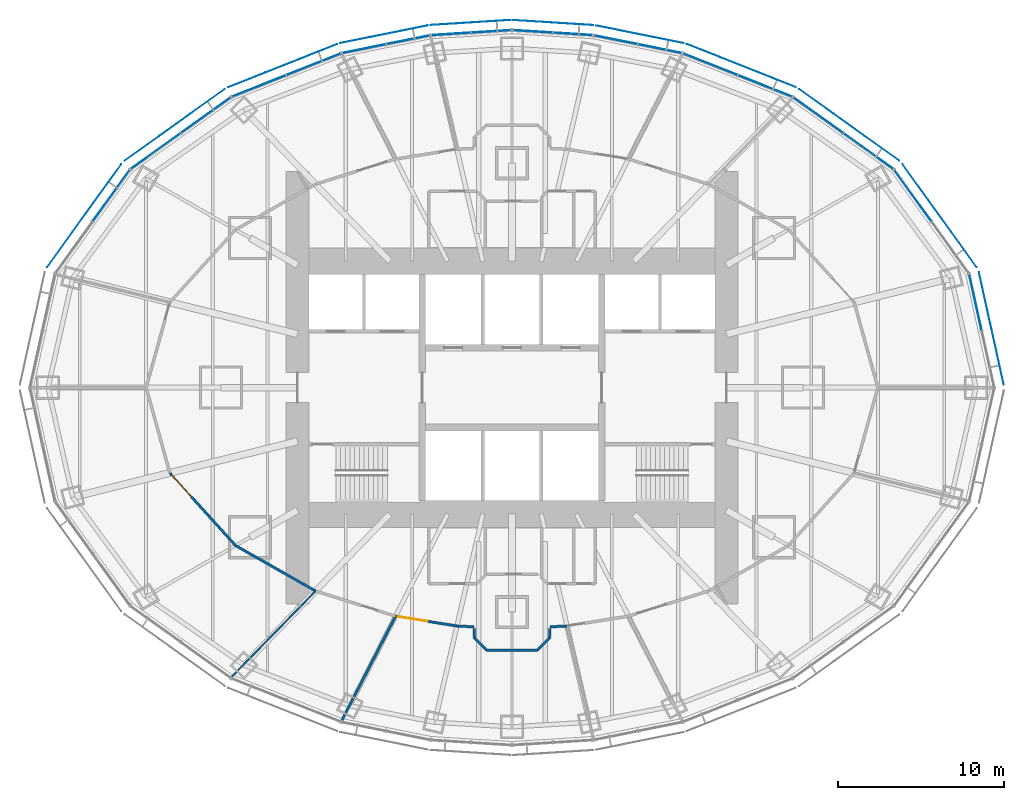
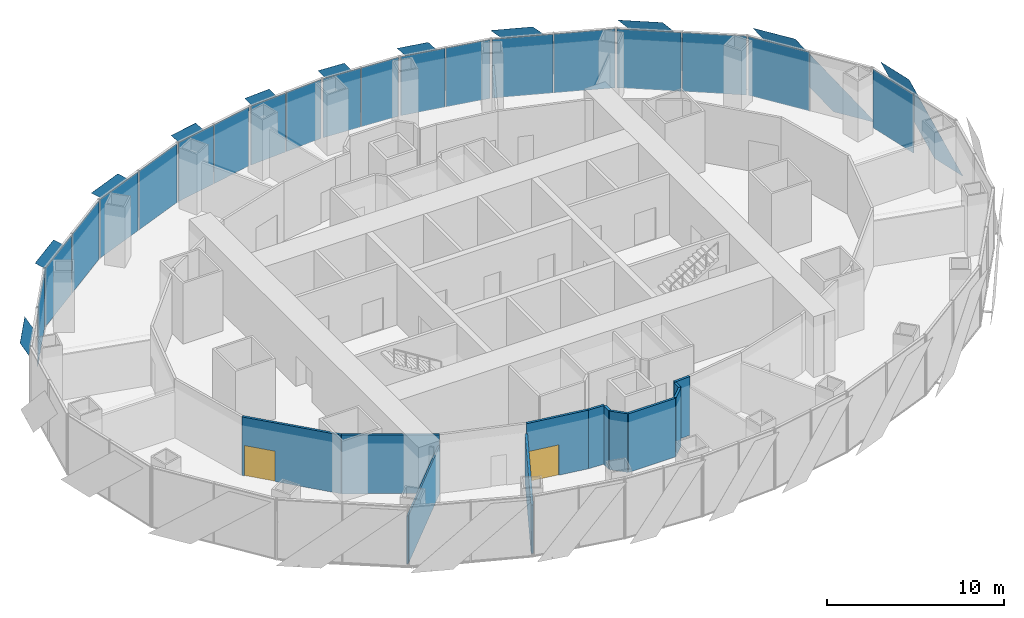
# One storey, part 10 of 18: 30 plates, 12 walls, 2 doors, 2 openings, 11 elements without a shape of their own.
"""IFC4 building model written with IfcOpenShell, lengths in metres."""

import ifcopenshell
import ifcopenshell.guid

model = None  # the IFC model being written
_history = None  # IfcOwnerHistory: only IFC2X3 demands one
_inside = {}  # id of a spatial element -> (the spatial element, [elements in it])
_under = {}  # id of a project, library or spatial element -> (it, [spatial elements below it])
_declared = {}  # id of a project -> (the project, [libraries it declares])
_typed = {}  # id of a type object -> (the type object, [elements of that type])
_made_of = {}  # id of a material, layer set ... -> (it, [elements and type objects made of it])


def new_model(schema):
    """Start an empty IFC model of exactly this schema.

    Asked for "IFC4X3", IfcOpenShell would pick the latest addendum, in which some entities
    have other attributes; the version numbers below select the first issue.
    IFC2X3 requires an IfcOwnerHistory on every rooted entity: one is made here for all.
    """
    global model, _history
    if schema == "IFC4X3":
        model = ifcopenshell.file(schema_version=(4, 3, 0, 0))
    else:
        model = ifcopenshell.file(schema=schema)
    _inside.clear()
    _under.clear()
    _declared.clear()
    _typed.clear()
    _made_of.clear()
    _history = None
    if model.schema == "IFC2X3":
        org = make("IfcOrganization", Name="unknown")
        user = make(
            "IfcPersonAndOrganization",
            ThePerson=make("IfcPerson", FamilyName="unknown"),
            TheOrganization=org,
        )
        app = make(
            "IfcApplication",
            ApplicationDeveloper=org,
            Version="unknown",
            ApplicationFullName="unknown",
            ApplicationIdentifier="unknown",
        )
        _history = make(
            "IfcOwnerHistory",
            OwningUser=user,
            OwningApplication=app,
            ChangeAction="ADDED",
            CreationDate=0,
        )
    return model


def make(cls, **values):
    """One entity of the class cls with the attributes given. An attribute that is None is left unset."""
    return model.create_entity(
        cls, **{name: value for name, value in values.items() if value is not None}
    )


def rooted(cls, **values):
    """An entity with a GlobalId (a new one), such as an element, a storey or a relation."""
    return make(cls, GlobalId=ifcopenshell.guid.new(), OwnerHistory=_history, **values)


def si_unit(unit_type, name, prefix=None):
    """IfcSIUnit, for example si_unit("LENGTHUNIT", "METRE", prefix="MILLI")."""
    return make("IfcSIUnit", UnitType=unit_type, Prefix=prefix, Name=name)


def assignment(units):
    """IfcUnitAssignment: the units of a project."""
    return None if units is None else make("IfcUnitAssignment", Units=units)


def point(xyz):
    """IfcCartesianPoint."""
    return None if xyz is None else make("IfcCartesianPoint", Coordinates=xyz)


def direction(xyz):
    """IfcDirection."""
    return None if xyz is None else make("IfcDirection", DirectionRatios=xyz)


def frame(location, z_axis=None, x_axis=None):
    """IfcAxis2Placement3D, a coordinate frame: its origin and axes. An axis left out is left unset."""
    return make(
        "IfcAxis2Placement3D",
        Location=point(location),
        Axis=direction(z_axis),
        RefDirection=direction(x_axis),
    )


def frame_2d(location, x_axis=None):
    """IfcAxis2Placement2D, a coordinate frame in the plane: its origin and x axis."""
    return make(
        "IfcAxis2Placement2D", Location=point(location), RefDirection=direction(x_axis)
    )


def origin():
    """The frame at (0, 0, 0) with its axes left unset."""
    return frame((0.0, 0.0, 0.0))


def origin_2d():
    """The frame at (0, 0) in the plane with its x axis left unset."""
    return frame_2d((0.0, 0.0))


def place(relative_to, where):
    """IfcLocalPlacement: puts the frame where relative to a parent placement (None: the world)."""
    return make(
        "IfcLocalPlacement", PlacementRelTo=relative_to, RelativePlacement=where
    )


def context(
    kind, dimensions, precision=None, world=None, true_north=None, identifier=None
):
    """IfcGeometricRepresentationContext, for example the 3D "Model" context."""
    return make(
        "IfcGeometricRepresentationContext",
        ContextIdentifier=identifier,
        ContextType=kind,
        CoordinateSpaceDimension=dimensions,
        Precision=precision,
        WorldCoordinateSystem=world,
        TrueNorth=true_north,
    )


def subcontext(parent, identifier, kind, view, scale=None):
    """IfcGeometricRepresentationSubContext, for example "Body" below "Model"."""
    return make(
        "IfcGeometricRepresentationSubContext",
        ContextIdentifier=identifier,
        ContextType=kind,
        ParentContext=parent,
        TargetScale=scale,
        TargetView=view,
    )


def project(units=None, contexts=None):
    """IfcProject with its units and contexts."""
    return rooted(
        "IfcProject",
        Name="project",
        RepresentationContexts=contexts,
        UnitsInContext=assignment(units),
    )


def spatial(cls, under=None, at=None, **own):
    """A site, building, storey or space (cls), placed at a placement, below another one or the project."""
    s = rooted(cls, ObjectPlacement=at, **own)
    if under is not None:
        _under.setdefault(under.id(), (under, []))[1].append(s)
    return s


def polyline(points):
    """IfcPolyline through the points."""
    return make("IfcPolyline", Points=[point(p) for p in points])


def profile(cls, at=None, kind="AREA", **sizes):
    """A parametric profile (cls). Its sizes go by their IFC names, for example OverallWidth=200.0."""
    return make(cls, ProfileType=kind, Position=at, **sizes)


def rectangle(**sizes):
    """IfcRectangleProfileDef."""
    return profile("IfcRectangleProfileDef", **sizes)


def outline(outer, holes=None, kind="AREA"):
    """IfcArbitraryClosedProfileDef: a profile drawn as a closed curve; with holes, ...WithVoids."""
    if holes is None:
        return make("IfcArbitraryClosedProfileDef", ProfileType=kind, OuterCurve=outer)
    return make(
        "IfcArbitraryProfileDefWithVoids",
        ProfileType=kind,
        OuterCurve=outer,
        InnerCurves=holes,
    )


def extrude(swept, where, along, depth):
    """IfcExtrudedAreaSolid: the profile swept, set in the frame where, extruded along a direction by depth."""
    return make(
        "IfcExtrudedAreaSolid",
        SweptArea=swept,
        Position=where,
        ExtrudedDirection=direction(along),
        Depth=depth,
    )


def shape(context_of_items, identifier, shape_type, items):
    """IfcShapeRepresentation: the items that make up one representation, for example the "Body"."""
    return make(
        "IfcShapeRepresentation",
        ContextOfItems=context_of_items,
        RepresentationIdentifier=identifier,
        RepresentationType=shape_type,
        Items=items,
    )


def material(Name=None, Category=None):
    """IfcMaterial."""
    return make("IfcMaterial", Name=Name, Category=Category)


def layer(
    of_material, thickness, ventilated=None, Name=None, Category=None, Priority=None
):
    """IfcMaterialLayer: one layer of a wall or slab, of a material (None: an air gap)."""
    return make(
        "IfcMaterialLayer",
        Material=of_material,
        LayerThickness=thickness,
        IsVentilated=ventilated,
        Name=Name,
        Category=Category,
        Priority=Priority,
    )


def layer_set(layers, Name=None):
    """IfcMaterialLayerSet."""
    return make("IfcMaterialLayerSet", MaterialLayers=layers, LayerSetName=Name)


def made_of(thing, what):
    """Note that an element or type object is made of a material, layer set ...; save() writes the relation."""
    if what is not None:
        _made_of.setdefault(what.id(), (what, []))[1].append(thing)
    return thing


def type_object(cls, material=None, **own):
    """A type object (cls), such as IfcWallType, which elements share."""
    return made_of(rooted(cls, **own), material)


def element(
    cls,
    number,
    at=None,
    inside=None,
    cuts=None,
    type_object=None,
    material=None,
    context=None,
    identifier="Body",
    shape_type=None,
    held_by="IfcProductDefinitionShape",
    body=None,
    shapes=None,
    **own,
):
    """One element of the class cls, such as IfcWall. Its Tag is "e" and its number.

    at: its placement. inside: the storey or other place that contains it. cuts: it is an
    opening in that element (IfcRelVoidsElement). A single representation is given by context,
    identifier, shape_type and body (its items); several are given by shapes. held_by: the class
    of the entity that holds the representations. save() writes the other relations.
    """
    e = rooted(cls, Tag="e%d" % number, ObjectPlacement=at, **own)
    if body is not None:
        shapes = [shape(context, identifier, shape_type, body)]
    if shapes is not None:
        e.Representation = make(held_by, Representations=shapes)
    if inside is not None:
        _inside.setdefault(inside.id(), (inside, []))[1].append(e)
    if cuts is not None:
        rooted(
            "IfcRelVoidsElement", RelatingBuildingElement=cuts, RelatedOpeningElement=e
        )
    if type_object is not None:
        _typed.setdefault(type_object.id(), (type_object, []))[1].append(e)
    return made_of(e, material)


def fill(opening, filler):
    """IfcRelFillsElement: the door or window that sits in an opening."""
    return rooted(
        "IfcRelFillsElement",
        RelatingOpeningElement=opening,
        RelatedBuildingElement=filler,
    )


def aggregate(whole, parts):
    """IfcRelAggregates: a whole, such as a stair, and the parts it consists of."""
    return rooted("IfcRelAggregates", RelatingObject=whole, RelatedObjects=parts)


def save(model, path):
    """Write the relations noted so far, then the file.

    IfcRelAggregates (storeys below a building ...), IfcRelContainedInSpatialStructure (elements
    in a storey), IfcRelDefinesByType, IfcRelAssociatesMaterial and IfcRelDeclares: one each for
    every whole, place, type object, material and project.
    """
    for whole, parts in _under.values():
        aggregate(whole, parts)
    for where, things in _inside.values():
        rooted(
            "IfcRelContainedInSpatialStructure",
            RelatedElements=things,
            RelatingStructure=where,
        )
    for kind, things in _typed.values():
        rooted("IfcRelDefinesByType", RelatedObjects=things, RelatingType=kind)
    for what, things in _made_of.values():
        rooted("IfcRelAssociatesMaterial", RelatedObjects=things, RelatingMaterial=what)
    for by, libraries in _declared.values():
        rooted("IfcRelDeclares", RelatingContext=by, RelatedDefinitions=libraries)
    model.write(path)


model = new_model("IFC4")

# Units and contexts
model_context = context("Model", 3, precision=1e-05, world=origin(), true_north=direction((0.0, 1.0)))
body_context = subcontext(model_context, "Body", "Model", "MODEL_VIEW")
ifc_project = project(units=[si_unit("LENGTHUNIT", "METRE"), si_unit("AREAUNIT", "SQUARE_METRE"), si_unit("VOLUMEUNIT", "CUBIC_METRE"), si_unit("PLANEANGLEUNIT", "RADIAN"), si_unit("MASSUNIT", "GRAM", prefix="KILO")], contexts=[model_context])

# Site, building, storey
site_placement = place(None, origin())
site = spatial("IfcSite", under=ifc_project, at=site_placement, CompositionType="ELEMENT")
building_placement = place(site_placement, origin())
building = spatial("IfcBuilding", under=site, at=building_placement, Name="Lantaw Convention Tower", CompositionType="ELEMENT")
storey_placement = place(building_placement, frame((0.0, 0.0, 172.0)))
storey = spatial("IfcBuildingStorey", under=building, at=storey_placement, Name="L40", CompositionType="ELEMENT", Elevation=172.0)

# Curtain wall, plate
ifc_material_1 = material(Name="Aluminium framed curtain wall", Category="aluminium")
curtain_wall_type = type_object("IfcCurtainWallType", Name="Office curtain wall low rise, pale aluminium", PredefinedType="USERDEFINED", material=ifc_material_1)
curtain_wall_1_placement = place(storey_placement, origin())
curtain_wall_1 = element("IfcCurtainWall", 1, at=curtain_wall_1_placement, inside=storey, type_object=curtain_wall_type, Name="Office curtain wall low rise, pale aluminium L40", ObjectType="UNITISED CURTAIN WALL", PredefinedType="USERDEFINED")
ifc_material_2 = material(Name="Clear insulating glass", Category="glass")
ifc_layer_1 = layer(ifc_material_2, 0.028076171875)
ifc_layer_set_1 = layer_set([ifc_layer_1], Name="CW-O1 panel 28")
plate_type_1 = type_object("IfcPlateType", Name="CW-O1 panel 28", PredefinedType="CURTAIN_PANEL", material=ifc_layer_set_1)
plate_1_placement = place(storey_placement, frame((27.868896484375, 5.1240234375, -0.0849609375), z_axis=(0.0, 0.0, 1.0), x_axis=(-0.215546166174, 0.9764936509, 0.0)))
plate_1 = element("IfcPlate", 2, at=plate_1_placement, type_object=plate_type_1, Name="CW-O1 panel 2.1", PredefinedType="CURTAIN_PANEL", context=body_context, shape_type="SweptSolid", body=[
    extrude(rectangle(XDim=3.41162109375, YDim=0.028076171875, at=origin_2d()), origin(), (0.0, 0.0, 1.0), 4.070068359375),
])
aggregate(curtain_wall_1, [plate_1])

curtain_wall_2_placement = place(storey_placement, origin())
curtain_wall_2 = element("IfcCurtainWall", 3, at=curtain_wall_2_placement, inside=storey, type_object=curtain_wall_type, Name="Office curtain wall low rise, pale aluminium L40", ObjectType="UNITISED CURTAIN WALL", PredefinedType="USERDEFINED")
plate_2_placement = place(storey_placement, frame((24.108154296875, 11.5439453125, -0.0849609375), z_axis=(0.0, 0.0, 1.0), x_axis=(-0.584512597221, 0.811384633629, 0.0)))
plate_2 = element("IfcPlate", 4, at=plate_2_placement, type_object=plate_type_1, Name="CW-O1 panel 2.1", PredefinedType="CURTAIN_PANEL", context=body_context, shape_type="SweptSolid", body=[
    extrude(rectangle(XDim=3.767333984375, YDim=0.028076171875, at=origin_2d()), origin(), (0.0, 0.0, 1.0), 4.070068359375),
])
aggregate(curtain_wall_2, [plate_2])

# Curtain wall, plates
curtain_wall_3_placement = place(storey_placement, origin())
curtain_wall_3 = element("IfcCurtainWall", 5, at=curtain_wall_3_placement, inside=storey, type_object=curtain_wall_type, Name="Office curtain wall low rise, pale aluminium L40", ObjectType="UNITISED CURTAIN WALL", PredefinedType="USERDEFINED")
plate_3_placement = place(storey_placement, frame((21.43408203125, 14.2236328125, -0.0849609375), z_axis=(0.0, 0.0, 1.0), x_axis=(-0.813208325995, 0.581972695693, 0.0)))
plate_3 = element("IfcPlate", 6, at=plate_3_placement, type_object=plate_type_1, Name="CW-O1 panel 1.1", PredefinedType="CURTAIN_PANEL", context=body_context, shape_type="SweptSolid", body=[
    extrude(rectangle(XDim=3.645263671875, YDim=0.028076171875, at=origin_2d()), origin(), (0.0, 0.0, 1.0), 4.070068359375),
])
plate_4_placement = place(storey_placement, frame((18.416748046875, 16.383056640625, -0.0849609375), z_axis=(0.0, 0.0, 1.0), x_axis=(-0.813208325995, 0.581972695693, 0.0)))
plate_4 = element("IfcPlate", 7, at=plate_4_placement, type_object=plate_type_1, Name="CW-O1 panel 2.1", PredefinedType="CURTAIN_PANEL", context=body_context, shape_type="SweptSolid", body=[
    extrude(rectangle(XDim=3.645263671875, YDim=0.028076171875, at=origin_2d()), origin(), (0.0, 0.0, 1.0), 4.070068359375),
])
aggregate(curtain_wall_3, [plate_3, plate_4])

curtain_wall_4_placement = place(storey_placement, origin())
curtain_wall_4 = element("IfcCurtainWall", 8, at=curtain_wall_4_placement, inside=storey, type_object=curtain_wall_type, Name="Office curtain wall low rise, pale aluminium L40", ObjectType="UNITISED CURTAIN WALL", PredefinedType="USERDEFINED")
plate_5_placement = place(storey_placement, frame((15.208251953125, 18.145263671875, -0.0849609375), z_axis=(0.0, 0.0, 1.0), x_axis=(-0.929547687544, 0.368701907483, 0.0)))
plate_5 = element("IfcPlate", 9, at=plate_5_placement, type_object=plate_type_1, Name="CW-O1 panel 1.1", PredefinedType="CURTAIN_PANEL", context=body_context, shape_type="SweptSolid", body=[
    extrude(rectangle(XDim=3.470703125, YDim=0.028076171875, at=origin_2d()), origin(), (0.0, 0.0, 1.0), 4.070068359375),
])
plate_6_placement = place(storey_placement, frame((11.921630859375, 19.448974609375, -0.0849609375), z_axis=(0.0, 0.0, 1.0), x_axis=(-0.929547687544, 0.368701907483, 0.0)))
plate_6 = element("IfcPlate", 10, at=plate_6_placement, type_object=plate_type_1, Name="CW-O1 panel 2.1", PredefinedType="CURTAIN_PANEL", context=body_context, shape_type="SweptSolid", body=[
    extrude(rectangle(XDim=3.470703125, YDim=0.028076171875, at=origin_2d()), origin(), (0.0, 0.0, 1.0), 4.070068359375),
])
aggregate(curtain_wall_4, [plate_5, plate_6])

curtain_wall_5_placement = place(storey_placement, origin())
curtain_wall_5 = element("IfcCurtainWall", 11, at=curtain_wall_5_placement, inside=storey, type_object=curtain_wall_type, Name="Office curtain wall low rise, pale aluminium L40", ObjectType="UNITISED CURTAIN WALL", PredefinedType="USERDEFINED")
plate_7_placement = place(storey_placement, frame((8.893310546875, 20.3857421875, -0.0849609375), z_axis=(0.0, 0.0, 1.0), x_axis=(-0.980301514912, 0.197506809659, 0.0)))
plate_7 = element("IfcPlate", 12, at=plate_7_placement, type_object=plate_type_1, Name="CW-O1 panel 1.1", PredefinedType="CURTAIN_PANEL", context=body_context, shape_type="SweptSolid", body=[
    extrude(rectangle(XDim=2.634033203125, YDim=0.028076171875, at=origin_2d()), origin(), (0.0, 0.0, 1.0), 4.070068359375),
])
plate_8_placement = place(storey_placement, frame((6.247314453125, 20.9189453125, -0.0849609375), z_axis=(0.0, 0.0, 1.0), x_axis=(-0.980301514912, 0.197506809659, 0.0)))
plate_8 = element("IfcPlate", 13, at=plate_8_placement, type_object=plate_type_1, Name="CW-O1 panel 2.1", PredefinedType="CURTAIN_PANEL", context=body_context, shape_type="SweptSolid", body=[
    extrude(rectangle(XDim=2.634033203125, YDim=0.028076171875, at=origin_2d()), origin(), (0.0, 0.0, 1.0), 4.070068359375),
])
aggregate(curtain_wall_5, [plate_7, plate_8])

curtain_wall_6_placement = place(storey_placement, origin())
curtain_wall_6 = element("IfcCurtainWall", 14, at=curtain_wall_6_placement, inside=storey, type_object=curtain_wall_type, Name="Office curtain wall low rise, pale aluminium L40", ObjectType="UNITISED CURTAIN WALL", PredefinedType="USERDEFINED")
plate_9_placement = place(storey_placement, frame((3.653076171875, 21.269775390625, -0.0849609375), z_axis=(0.0, 0.0, 1.0), x_axis=(-0.998022035978, 0.062865059466, 0.0)))
plate_9 = element("IfcPlate", 15, at=plate_9_placement, type_object=plate_type_1, Name="CW-O1 panel 1.1", PredefinedType="CURTAIN_PANEL", context=body_context, shape_type="SweptSolid", body=[
    extrude(rectangle(XDim=2.353515625, YDim=0.028076171875, at=origin_2d()), origin(), (0.0, 0.0, 1.0), 4.070068359375),
])
plate_10_placement = place(storey_placement, frame((1.2392578125, 21.421875, -0.0849609375), z_axis=(0.0, 0.0, 1.0), x_axis=(-0.998022035978, 0.062865059466, 0.0)))
plate_10 = element("IfcPlate", 16, at=plate_10_placement, type_object=plate_type_1, Name="CW-O1 panel 2.1", PredefinedType="CURTAIN_PANEL", context=body_context, shape_type="SweptSolid", body=[
    extrude(rectangle(XDim=2.353515625, YDim=0.028076171875, at=origin_2d()), origin(), (0.0, 0.0, 1.0), 4.070068359375),
])
aggregate(curtain_wall_6, [plate_9, plate_10])

curtain_wall_7_placement = place(storey_placement, origin())
curtain_wall_7 = element("IfcCurtainWall", 17, at=curtain_wall_7_placement, inside=storey, type_object=curtain_wall_type, Name="Office curtain wall low rise, pale aluminium L40", ObjectType="UNITISED CURTAIN WALL", PredefinedType="USERDEFINED")
plate_11_placement = place(storey_placement, frame((-1.2392578125, 21.421875, -0.0849609375), z_axis=(0.0, 0.0, 1.0), x_axis=(-0.998022035978, -0.062865059466, 0.0)))
plate_11 = element("IfcPlate", 18, at=plate_11_placement, type_object=plate_type_1, Name="CW-O1 panel 1.1", PredefinedType="CURTAIN_PANEL", context=body_context, shape_type="SweptSolid", body=[
    extrude(rectangle(XDim=2.353515625, YDim=0.028076171875, at=origin_2d()), origin(), (0.0, 0.0, 1.0), 4.070068359375),
])
plate_12_placement = place(storey_placement, frame((-3.653076171875, 21.269775390625, -0.0849609375), z_axis=(0.0, 0.0, 1.0), x_axis=(-0.998022035978, -0.062865059466, 0.0)))
plate_12 = element("IfcPlate", 19, at=plate_12_placement, type_object=plate_type_1, Name="CW-O1 panel 2.1", PredefinedType="CURTAIN_PANEL", context=body_context, shape_type="SweptSolid", body=[
    extrude(rectangle(XDim=2.353515625, YDim=0.028076171875, at=origin_2d()), origin(), (0.0, 0.0, 1.0), 4.070068359375),
])
aggregate(curtain_wall_7, [plate_11, plate_12])

curtain_wall_8_placement = place(storey_placement, origin())
curtain_wall_8 = element("IfcCurtainWall", 20, at=curtain_wall_8_placement, inside=storey, type_object=curtain_wall_type, Name="Office curtain wall low rise, pale aluminium L40", ObjectType="UNITISED CURTAIN WALL", PredefinedType="USERDEFINED")
plate_13_placement = place(storey_placement, frame((-6.247314453125, 20.9189453125, -0.0849609375), z_axis=(0.0, 0.0, 1.0), x_axis=(-0.980301514912, -0.197506809659, 0.0)))
plate_13 = element("IfcPlate", 21, at=plate_13_placement, type_object=plate_type_1, Name="CW-O1 panel 1.1", PredefinedType="CURTAIN_PANEL", context=body_context, shape_type="SweptSolid", body=[
    extrude(rectangle(XDim=2.634033203125, YDim=0.028076171875, at=origin_2d()), origin(), (0.0, 0.0, 1.0), 4.070068359375),
])
plate_14_placement = place(storey_placement, frame((-8.893310546875, 20.3857421875, -0.0849609375), z_axis=(0.0, 0.0, 1.0), x_axis=(-0.980301514912, -0.197506809659, 0.0)))
plate_14 = element("IfcPlate", 22, at=plate_14_placement, type_object=plate_type_1, Name="CW-O1 panel 2.1", PredefinedType="CURTAIN_PANEL", context=body_context, shape_type="SweptSolid", body=[
    extrude(rectangle(XDim=2.634033203125, YDim=0.028076171875, at=origin_2d()), origin(), (0.0, 0.0, 1.0), 4.070068359375),
])
aggregate(curtain_wall_8, [plate_13, plate_14])

curtain_wall_9_placement = place(storey_placement, origin())
curtain_wall_9 = element("IfcCurtainWall", 23, at=curtain_wall_9_placement, inside=storey, type_object=curtain_wall_type, Name="Office curtain wall low rise, pale aluminium L40", ObjectType="UNITISED CURTAIN WALL", PredefinedType="USERDEFINED")
plate_15_placement = place(storey_placement, frame((-11.921630859375, 19.448974609375, -0.0849609375), z_axis=(0.0, 0.0, 1.0), x_axis=(-0.929547687544, -0.368701907483, 0.0)))
plate_15 = element("IfcPlate", 24, at=plate_15_placement, type_object=plate_type_1, Name="CW-O1 panel 1.1", PredefinedType="CURTAIN_PANEL", context=body_context, shape_type="SweptSolid", body=[
    extrude(rectangle(XDim=3.470703125, YDim=0.028076171875, at=origin_2d()), origin(), (0.0, 0.0, 1.0), 4.070068359375),
])
plate_16_placement = place(storey_placement, frame((-15.208251953125, 18.145263671875, -0.0849609375), z_axis=(0.0, 0.0, 1.0), x_axis=(-0.929547687544, -0.368701907483, 0.0)))
plate_16 = element("IfcPlate", 25, at=plate_16_placement, type_object=plate_type_1, Name="CW-O1 panel 2.1", PredefinedType="CURTAIN_PANEL", context=body_context, shape_type="SweptSolid", body=[
    extrude(rectangle(XDim=3.470703125, YDim=0.028076171875, at=origin_2d()), origin(), (0.0, 0.0, 1.0), 4.070068359375),
])
aggregate(curtain_wall_9, [plate_15, plate_16])

curtain_wall_10_placement = place(storey_placement, origin())
curtain_wall_10 = element("IfcCurtainWall", 26, at=curtain_wall_10_placement, inside=storey, type_object=curtain_wall_type, Name="Office curtain wall low rise, pale aluminium L40", ObjectType="UNITISED CURTAIN WALL", PredefinedType="USERDEFINED")
plate_17_placement = place(storey_placement, frame((-18.416748046875, 16.383056640625, -0.0849609375), z_axis=(0.0, 0.0, 1.0), x_axis=(-0.813208325995, -0.581972695693, 0.0)))
plate_17 = element("IfcPlate", 27, at=plate_17_placement, type_object=plate_type_1, Name="CW-O1 panel 1.1", PredefinedType="CURTAIN_PANEL", context=body_context, shape_type="SweptSolid", body=[
    extrude(rectangle(XDim=3.645263671875, YDim=0.028076171875, at=origin_2d()), origin(), (0.0, 0.0, 1.0), 4.070068359375),
])
plate_18_placement = place(storey_placement, frame((-21.43408203125, 14.2236328125, -0.0849609375), z_axis=(0.0, 0.0, 1.0), x_axis=(-0.813208325995, -0.581972695693, 0.0)))
plate_18 = element("IfcPlate", 28, at=plate_18_placement, type_object=plate_type_1, Name="CW-O1 panel 2.1", PredefinedType="CURTAIN_PANEL", context=body_context, shape_type="SweptSolid", body=[
    extrude(rectangle(XDim=3.645263671875, YDim=0.028076171875, at=origin_2d()), origin(), (0.0, 0.0, 1.0), 4.070068359375),
])
aggregate(curtain_wall_10, [plate_17, plate_18])

# Curtain wall, plate
curtain_wall_11_placement = place(storey_placement, origin())
curtain_wall_11 = element("IfcCurtainWall", 29, at=curtain_wall_11_placement, inside=storey, type_object=curtain_wall_type, Name="Office curtain wall low rise, pale aluminium L40", ObjectType="UNITISED CURTAIN WALL", PredefinedType="USERDEFINED")
plate_19_placement = place(storey_placement, frame((-24.108154296875, 11.5439453125, -0.0849609375), z_axis=(0.0, 0.0, 1.0), x_axis=(-0.584512597221, -0.811384633629, 0.0)))
plate_19 = element("IfcPlate", 30, at=plate_19_placement, type_object=plate_type_1, Name="CW-O1 panel 1.1", PredefinedType="CURTAIN_PANEL", context=body_context, shape_type="SweptSolid", body=[
    extrude(rectangle(XDim=3.767333984375, YDim=0.028076171875, at=origin_2d()), origin(), (0.0, 0.0, 1.0), 4.070068359375),
])
aggregate(curtain_wall_11, [plate_19])

# Plates
ifc_material_3 = material(Name="Perforated aluminium sheet, pale silver finish", Category="aluminium")
ifc_layer_2 = layer(ifc_material_3, 0.006103515625)
ifc_layer_set_2 = layer_set([ifc_layer_2], Name="Perforated aluminium solar SCREEN panel")
plate_type_2 = type_object("IfcPlateType", Name="Perforated aluminium solar SCREEN panel", PredefinedType="SHEET", material=ifc_layer_set_2)
plate_20_placement = place(storey_placement, frame((29.5810546875, 0.179443359375, -0.175048828125), z_axis=(0.976497812463, 0.215527309509, 3.332717e-05), x_axis=(-0.215527309629, 0.976497813005, 1.665e-09)))
element("IfcPlate", 31, at=plate_20_placement, inside=storey, type_object=plate_type_2, Name="Solar SCREEN panel", PredefinedType="SHEET", context=body_context, shape_type="SweptSolid", body=[
    extrude(outline(polyline([(0.0, 0.0), (2.3861843673609986, 3.3881317890172014e-21), (6.918240190546627, 4.340087881517419), (4.532108442157707, 4.340087889462621), (0.0, 0.0)])), origin(), (0.0, 0.0, -1.0), 0.006103515625),
])
plate_21_placement = place(storey_placement, frame((27.94970703125, 7.248046875, -0.175048828125), z_axis=(0.81139512159, 0.584498037099, 3.5886784e-05), x_axis=(-0.584498037475, 0.811395122112, -9.74e-10)))
element("IfcPlate", 32, at=plate_21_placement, inside=storey, type_object=plate_type_2, Name="Solar SCREEN panel", PredefinedType="SHEET", context=body_context, shape_type="SweptSolid", body=[
    extrude(outline(polyline([(0.0, 0.0), (2.628222178575422, -6.776263578034403e-21), (7.629778257969264, 4.340087900852944), (5.001754173906077, 4.340087895732103), (0.0, 0.0)])), origin(), (0.0, 0.0, -1.0), 0.006103515625),
])
plate_22_placement = place(storey_placement, frame((23.281005859375, 13.64697265625, -0.175048828125), z_axis=(0.582000183937, 0.813188653244, 1.1537145e-05), x_axis=(-0.813188653298, 0.582000183975, 0.0)))
element("IfcPlate", 33, at=plate_22_placement, inside=storey, type_object=plate_type_2, Name="Solar SCREEN panel", PredefinedType="SHEET", context=body_context, shape_type="SweptSolid", body=[
    extrude(outline(polyline([(0.0, 0.0), (2.5450183911586484, 0.0), (7.385531276904658, 4.340087890913846), (4.840512885746009, 4.340087890913846), (0.0, 0.0)])), origin(), (0.0, 0.0, -1.0), 0.006103515625),
])
plate_23_placement = place(storey_placement, frame((17.05859375, 18.063232421875, -0.175048828125), z_axis=(-0.368708915367, -0.929544907797, 1.086705e-05), x_axis=(-0.929544907851, 0.368708915389, 7.1e-10)))
element("IfcPlate", 34, at=plate_23_placement, inside=storey, type_object=plate_type_2, Name="Solar SCREEN panel", PredefinedType="SHEET", context=body_context, shape_type="SweptSolid", body=[
    extrude(outline(polyline([(0.0, 0.0), (2.4263803793049097, -1.6940658945086007e-21), (7.036549629566982, -4.340087885886879), (4.61003232741235, -4.340087889331358), (0.0, 0.0)])), origin(), (0.0, 0.0, -1.0), 0.006103515625),
])
plate_24_placement = place(storey_placement, frame((10.318603515625, 20.716796875, -0.175048828125), z_axis=(0.197556725442, 0.980291455983, 3.9483498e-05), x_axis=(-0.980291456747, 0.197556725596, 0.0)))
element("IfcPlate", 35, at=plate_24_placement, inside=storey, type_object=plate_type_2, Name="Solar SCREEN panel", PredefinedType="SHEET", context=body_context, shape_type="SweptSolid", body=[
    extrude(outline(polyline([(0.0, 0.0), (1.8574075788555457, 3.3881317890172014e-21), (5.362987026845185, 4.340087894007983), (3.505579447989639, 4.340087894007983), (0.0, 0.0)])), origin(), (0.0, 0.0, -1.0), 0.006103515625),
])
plate_25_placement = place(storey_placement, frame((4.880615234375, 21.7998046875, -0.175048828125), z_axis=(0.062838799866, 0.998023689713, 1.755059e-06), x_axis=(-0.998023689715, 0.062838799866, -8e-12)))
element("IfcPlate", 36, at=plate_25_placement, inside=storey, type_object=plate_type_2, Name="Solar SCREEN panel", PredefinedType="SHEET", context=body_context, shape_type="SweptSolid", body=[
    extrude(outline(polyline([(0.0, 0.0), (1.6666243269452135, 2.6469779601696886e-23), (4.802214797186689, 4.340087890670476), (3.135346812114104, 4.340087890643548), (0.0, 0.0)])), origin(), (0.0, 0.0, -1.0), 0.006103515625),
])
plate_26_placement = place(storey_placement, frame((-0.087890625, 22.1015625, -0.175048828125), z_axis=(0.062838799866, -0.998023689713, 1.755059e-06), x_axis=(-0.998023689715, -0.062838799866, 8e-12)))
element("IfcPlate", 37, at=plate_26_placement, inside=storey, type_object=plate_type_2, Name="Solar SCREEN panel", PredefinedType="SHEET", context=body_context, shape_type="SweptSolid", body=[
    extrude(outline(polyline([(0.0, 0.0), (1.6668679850725854, -5.293955920339377e-23), (4.802214797256801, -4.340087890592899), (3.1355904703115876, -4.340087890619822), (0.0, 0.0)])), origin(), (0.0, 0.0, -1.0), 0.006103515625),
])
plate_27_placement = place(storey_placement, frame((-5.061279296875, 21.776123046875, -0.175048828125), z_axis=(0.197556725442, -0.980291455983, 3.9483498e-05), x_axis=(-0.980291456747, -0.197556725596, 0.0)))
element("IfcPlate", 38, at=plate_27_placement, inside=storey, type_object=plate_type_2, Name="Solar SCREEN panel", PredefinedType="SHEET", context=body_context, shape_type="SweptSolid", body=[
    extrude(outline(polyline([(0.0, 0.0), (1.8574075788555457, -3.3881317890172014e-21), (5.362987026845185, -4.340087894007983), (3.505579447989639, -4.340087894007983), (0.0, 0.0)])), origin(), (0.0, 0.0, -1.0), 0.006103515625),
])
plate_28_placement = place(storey_placement, frame((-10.517822265625, 20.65771484375, -0.175048828125), z_axis=(-0.368708915367, 0.929544907797, 1.086705e-05), x_axis=(-0.929544907851, -0.368708915389, -7.1e-10)))
element("IfcPlate", 39, at=plate_28_placement, inside=storey, type_object=plate_type_2, Name="Solar SCREEN panel", PredefinedType="SHEET", context=body_context, shape_type="SweptSolid", body=[
    extrude(outline(polyline([(0.0, 0.0), (2.426517302154632, -1.6940658945086007e-21), (7.036549623406159, 4.340087895875372), (4.610169244101249, 4.340087892431086), (0.0, 0.0)])), origin(), (0.0, 0.0, -1.0), 0.006103515625),
])
plate_29_placement = place(storey_placement, frame((-17.275146484375, 17.9453125, -0.175048828125), z_axis=(0.582000183937, -0.813188653244, 1.1537145e-05), x_axis=(-0.813188653298, -0.582000183975, 0.0)))
element("IfcPlate", 40, at=plate_29_placement, inside=storey, type_object=plate_type_2, Name="Solar SCREEN panel", PredefinedType="SHEET", context=body_context, shape_type="SweptSolid", body=[
    extrude(outline(polyline([(0.0, 0.0), (2.5450183911586484, 0.0), (7.385531276904658, -4.340087890913846), (4.840512885746009, -4.340087890913846), (0.0, 0.0)])), origin(), (0.0, 0.0, -1.0), 0.006103515625),
])
plate_30_placement = place(storey_placement, frame((-23.489990234375, 13.438720703125, -0.175048828125), z_axis=(0.81139512159, -0.584498037099, 3.5886784e-05), x_axis=(-0.584498037475, -0.811395122112, 9.74e-10)))
element("IfcPlate", 41, at=plate_30_placement, inside=storey, type_object=plate_type_2, Name="Solar SCREEN panel", PredefinedType="SHEET", context=body_context, shape_type="SweptSolid", body=[
    extrude(outline(polyline([(0.0, 0.0), (2.6280240840631874, -6.776263578034403e-21), (7.6297782664261495, -4.340087885985926), (5.0015560878507275, -4.340087891107152), (0.0, 0.0)])), origin(), (0.0, 0.0, -1.0), 0.006103515625),
])

# Wall, opening, door
ifc_material_4 = material(Name="Gypsum board on steel studs, fire rated", Category="steel")
ifc_layer_3 = layer(ifc_material_4, 0.14990234375)
ifc_layer_set_3 = layer_set([ifc_layer_3], Name="Corridor wall 150 EI 60")
wall_type_1 = type_object("IfcWallType", Name="Corridor wall 150 EI 60", PredefinedType="PARTITIONING", material=ifc_layer_set_3)
wall_1_placement = place(storey_placement, frame((-20.576904296875, -5.13037109375, 0.0), z_axis=(0.0, 0.0, 1.0), x_axis=(0.671118353743, -0.741350224435, 0.0)))
wall_1 = element("IfcWall", 42, at=wall_1_placement, inside=storey, type_object=wall_type_1, Name="Corridor wall 150", PredefinedType="PARTITIONING", context=body_context, shape_type="SweptSolid", body=[
    extrude(rectangle(XDim=5.89208984375, YDim=0.14990234375, at=frame_2d((2.946044921875, 0.0))), origin(), (0.0, 0.0, 1.0), 4.050048828125),
])
opening_1_placement = place(wall_1_placement, frame((0.14990234375, 0.0, 0.0)))
opening_1 = element("IfcOpeningElement", 43, at=opening_1_placement, cuts=wall_1, Name="Opening L40.28", PredefinedType="OPENING", context=body_context, shape_type="SweptSolid", body=[
    extrude(rectangle(XDim=1.800048828125, YDim=2.10009765625, at=frame_2d((0.89990234375, 1.050048828125))), frame((0.0, 0.0849609375, 0.0), z_axis=(0.0, -1.0, 0.0), x_axis=(1.0, 0.0, 0.0)), (0.0, 0.0, 1.0), 0.169921875),
])
ifc_material_5 = material(Name="Steel, fire rated", Category="steel")
door_type = type_object("IfcDoorType", Name="Office double door 1800 FD30", OperationType="DOUBLE_DOOR_DOUBLE_SWING", PredefinedType="DOOR", material=ifc_material_5)
door_1_placement = place(opening_1_placement, origin())
door_1 = element("IfcDoor", 44, at=door_1_placement, inside=storey, type_object=door_type, Name="Tenant suite door", OperationType="DOUBLE_DOOR_DOUBLE_SWING", OverallHeight=2.10009765625, OverallWidth=1.800048828125, PredefinedType="DOOR", context=body_context, shape_type="SweptSolid", body=[
    extrude(rectangle(XDim=1.800048828125, YDim=2.10009765625, at=frame_2d((0.89990234375, 1.050048828125))), frame((0.0, 0.02490234375, 0.0), z_axis=(0.0, -1.0, 0.0), x_axis=(1.0, 0.0, 0.0)), (0.0, 0.0, 1.0), 0.050048828125),
])
fill(opening_1, door_1)

# Wall
wall_2_placement = place(storey_placement, frame((-16.62255859375, -9.49853515625, 0.0), z_axis=(0.0, 0.0, 1.0), x_axis=(0.869375991036, -0.494151177485, 0.0)))
element("IfcWall", 45, at=wall_2_placement, inside=storey, type_object=wall_type_1, Name="Corridor wall 150", PredefinedType="PARTITIONING", context=body_context, shape_type="SweptSolid", body=[
    extrude(rectangle(XDim=5.532470703125, YDim=0.14990234375, at=frame_2d((2.76611328125, 0.0))), origin(), (0.0, 0.0, 1.0), 4.050048828125),
])

# Wall, opening, door
wall_3_placement = place(storey_placement, frame((-7.003662109375, -13.74560546875, 0.0), z_axis=(0.0, 0.0, 1.0), x_axis=(0.987511396594, -0.157547585181, 0.0)))
wall_3 = element("IfcWall", 46, at=wall_3_placement, inside=storey, type_object=wall_type_1, Name="Corridor wall 150", PredefinedType="PARTITIONING", context=body_context, shape_type="SweptSolid", body=[
    extrude(rectangle(XDim=3.74072265625, YDim=0.14990234375, at=frame_2d((1.870361328125, 0.0))), origin(), (0.0, 0.0, 1.0), 4.050048828125),
])
opening_2_placement = place(wall_3_placement, frame((0.14990234375, 0.0, 0.0)))
opening_2 = element("IfcOpeningElement", 47, at=opening_2_placement, cuts=wall_3, Name="Opening L40.30", PredefinedType="OPENING", context=body_context, shape_type="SweptSolid", body=[
    extrude(rectangle(XDim=1.800048828125, YDim=2.10009765625, at=frame_2d((0.89990234375, 1.050048828125))), frame((0.0, 0.0849609375, 0.0), z_axis=(0.0, -1.0, 0.0), x_axis=(1.0, 0.0, 0.0)), (0.0, 0.0, 1.0), 0.169921875),
])
door_2_placement = place(opening_2_placement, origin())
door_2 = element("IfcDoor", 48, at=door_2_placement, inside=storey, type_object=door_type, Name="Tenant suite door", OperationType="DOUBLE_DOOR_DOUBLE_SWING", OverallHeight=2.10009765625, OverallWidth=1.800048828125, PredefinedType="DOOR", context=body_context, shape_type="SweptSolid", body=[
    extrude(rectangle(XDim=1.800048828125, YDim=2.10009765625, at=frame_2d((0.89990234375, 1.050048828125))), frame((0.0, 0.02490234375, 0.0), z_axis=(0.0, -1.0, 0.0), x_axis=(1.0, 0.0, 0.0)), (0.0, 0.0, 1.0), 0.050048828125),
])
fill(opening_2, door_2)

# Walls
for number, where, z_axis, x_axis, name in (
    (49, (-3.3095703125, -14.3349609375, 0.0), (0.0, 0.0, 1.0), (0.998761909217, -0.049745841003, 0.0), "Corridor wall 150"),
    (50, (2.294921875, -14.385498046875, 0.0), (0.0, 0.0, 1.0), (0.998761909217, 0.049745841003, 0.0), "Corridor wall 150"),
):
    element("IfcWall", number, at=place(storey_placement, frame(where, z_axis=z_axis, x_axis=x_axis)), inside=storey, type_object=wall_type_1, Name=name, PredefinedType="PARTITIONING", context=body_context, shape_type="SweptSolid", body=[
        extrude(rectangle(XDim=1.015869140625, YDim=0.14990234375, at=frame_2d((0.5078125, 0.0))), origin(), (0.0, 0.0, 1.0), 4.050048828125),
    ])
for number, where, z_axis, x_axis, name in (
    (51, (-2.284912109375, -15.0322265625, 0.0), (0.0, 0.0, 1.0), (0.0, 1.0, 0.0), "Corridor wall 150"),
    (52, (2.284912109375, -14.487060546875, 0.0), (0.0, 0.0, 1.0), (0.0, -1.0, 0.0), "Corridor wall 150"),
):
    element("IfcWall", number, at=place(storey_placement, frame(where, z_axis=z_axis, x_axis=x_axis)), inside=storey, type_object=wall_type_1, Name=name, PredefinedType="PARTITIONING", context=body_context, shape_type="SweptSolid", body=[
        extrude(rectangle(XDim=0.545166015625, YDim=0.14990234375, at=frame_2d((0.2724609375, 0.0))), origin(), (0.0, 0.0, 1.0), 4.050048828125),
    ])
wall_4_placement = place(storey_placement, frame((2.284912109375, -15.0322265625, 0.0), z_axis=(0.0, 0.0, 1.0), x_axis=(-0.707106781187, -0.707106781187, 0.0)))
element("IfcWall", 53, at=wall_4_placement, inside=storey, type_object=wall_type_1, Name="Corridor wall 150", PredefinedType="PARTITIONING", context=body_context, shape_type="SweptSolid", body=[
    extrude(rectangle(XDim=1.064453125, YDim=0.14990234375, at=frame_2d((0.5322265625, 0.0))), origin(), (0.0, 0.0, 1.0), 4.050048828125),
])
wall_5_placement = place(storey_placement, frame((1.5322265625, -15.784912109375, 0.0), z_axis=(0.0, 0.0, 1.0), x_axis=(-1.0, 0.0, 0.0)))
element("IfcWall", 54, at=wall_5_placement, inside=storey, type_object=wall_type_1, Name="Corridor wall 150", PredefinedType="PARTITIONING", context=body_context, shape_type="SweptSolid", body=[
    extrude(rectangle(XDim=3.064453125, YDim=0.14990234375, at=frame_2d((1.5322265625, 0.0))), origin(), (0.0, 0.0, 1.0), 4.050048828125),
])
wall_6_placement = place(storey_placement, frame((-1.5322265625, -15.784912109375, 0.0), z_axis=(0.0, 0.0, 1.0), x_axis=(-0.707106781187, 0.707106781187, 0.0)))
element("IfcWall", 55, at=wall_6_placement, inside=storey, type_object=wall_type_1, Name="Corridor wall 150", PredefinedType="PARTITIONING", context=body_context, shape_type="SweptSolid", body=[
    extrude(rectangle(XDim=1.064453125, YDim=0.14990234375, at=frame_2d((0.5322265625, 0.0))), origin(), (0.0, 0.0, 1.0), 4.050048828125),
])
ifc_material_6 = material(Name="Gypsum board on steel studs, acoustic", Category="steel")
ifc_layer_4 = layer(ifc_material_6, 0.10009765625)
ifc_layer_set_4 = layer_set([ifc_layer_4], Name="Office partition 100")
wall_type_2 = type_object("IfcWallType", Name="Office partition 100", PredefinedType="PARTITIONING", material=ifc_layer_set_4)
wall_7_placement = place(storey_placement, frame((-16.88232421875, -17.413818359375, 0.0), z_axis=(0.0, 0.0, 1.0), x_axis=(0.699352142517, 0.714777294517, 0.0)))
element("IfcWall", 56, at=wall_7_placement, inside=storey, type_object=wall_type_2, Name="Office partition 100", PredefinedType="PARTITIONING", context=body_context, shape_type="SweptSolid", body=[
    extrude(rectangle(XDim=7.2490234375, YDim=0.10009765625, at=frame_2d((3.62451171875, 0.0))), origin(), (0.0, 0.0, 1.0), 3.321044921875),
])
ifc_layer_5 = layer(ifc_material_4, 0.14990234375)
ifc_layer_set_5 = layer_set([ifc_layer_5], Name="Tenant separation wall 150 EI 60")
wall_type_3 = type_object("IfcWallType", Name="Tenant separation wall 150 EI 60", PredefinedType="PARTITIONING", material=ifc_layer_set_5)
wall_8_placement = place(storey_placement, frame((-10.25341796875, -20.0517578125, 0.0), z_axis=(0.0, 0.0, 1.0), x_axis=(0.458082677592, 0.888909590729, 0.0)))
element("IfcWall", 57, at=wall_8_placement, inside=storey, type_object=wall_type_3, Name="Tenant separation wall 150", PredefinedType="PARTITIONING", context=body_context, shape_type="SweptSolid", body=[
    extrude(rectangle(XDim=7.09423828125, YDim=0.14990234375, at=frame_2d((3.547119140625, 0.0))), origin(), (0.0, 0.0, 1.0), 3.348876953125),
])

save(model, "model.ifc")
